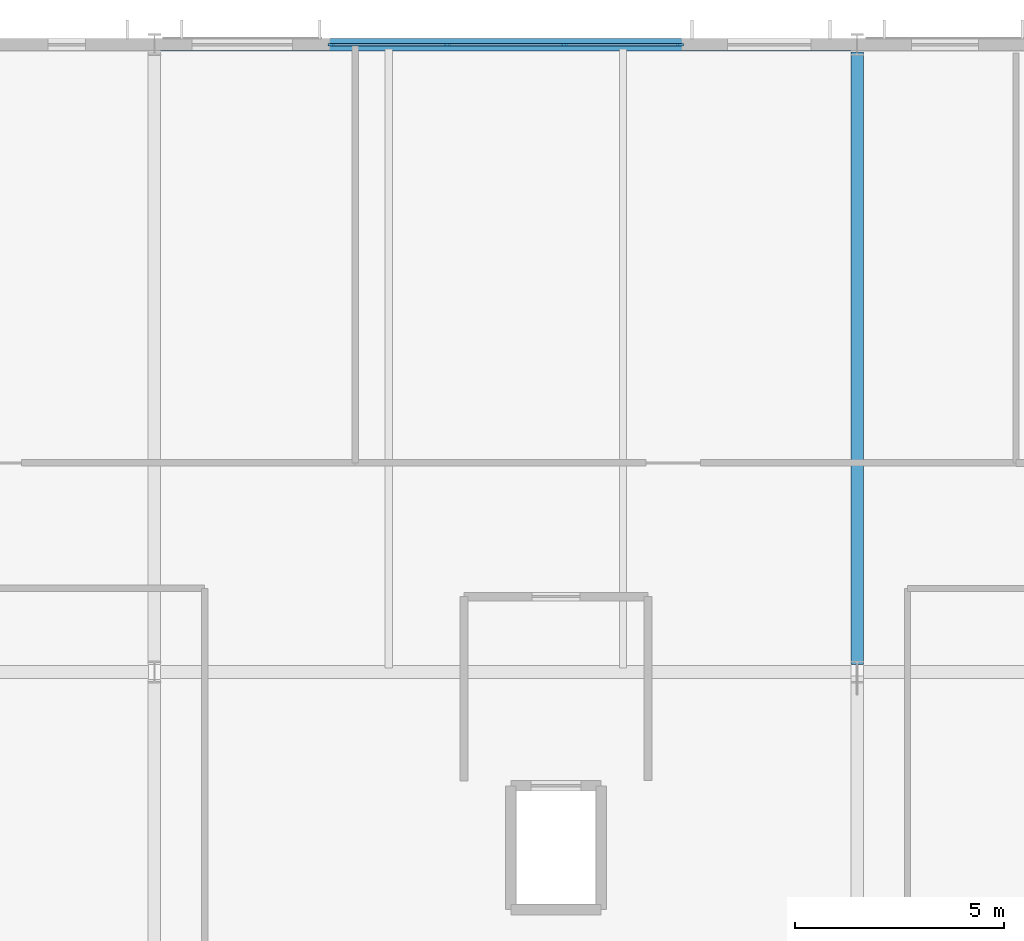
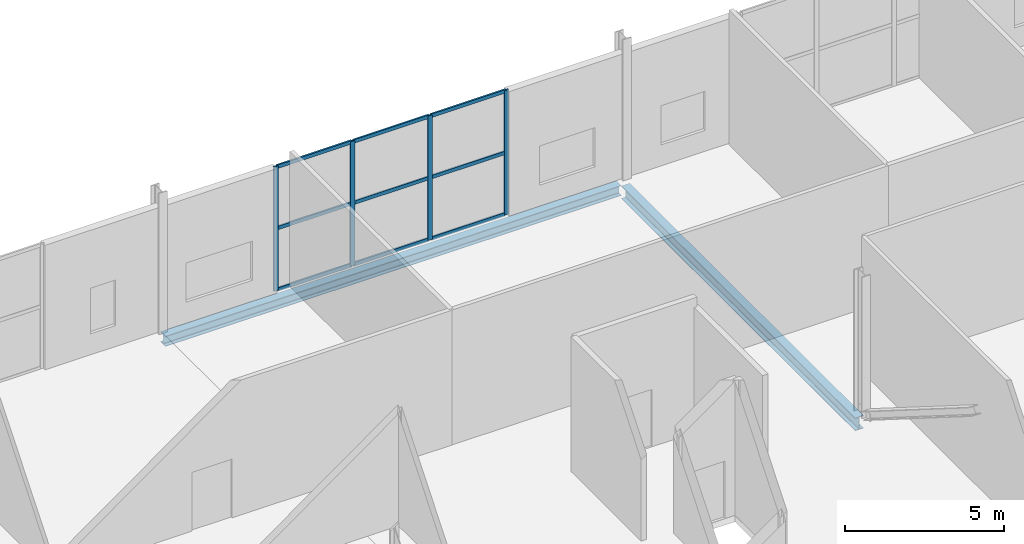
# One storey, part 36 of 84: 13 members, 2 beams, 1 element without a shape of its own.
"""IFC4 building model written with IfcOpenShell, lengths in metres."""

import ifcopenshell
import ifcopenshell.guid

model = None  # the IFC model being written
_history = None  # IfcOwnerHistory: only IFC2X3 demands one
_inside = {}  # id of a spatial element -> (the spatial element, [elements in it])
_under = {}  # id of a project, library or spatial element -> (it, [spatial elements below it])
_declared = {}  # id of a project -> (the project, [libraries it declares])
_typed = {}  # id of a type object -> (the type object, [elements of that type])
_made_of = {}  # id of a material, layer set ... -> (it, [elements and type objects made of it])


def new_model(schema):
    """Start an empty IFC model of exactly this schema.

    Asked for "IFC4X3", IfcOpenShell would pick the latest addendum, in which some entities
    have other attributes; the version numbers below select the first issue.
    IFC2X3 requires an IfcOwnerHistory on every rooted entity: one is made here for all.
    """
    global model, _history
    if schema == "IFC4X3":
        model = ifcopenshell.file(schema_version=(4, 3, 0, 0))
    else:
        model = ifcopenshell.file(schema=schema)
    _inside.clear()
    _under.clear()
    _declared.clear()
    _typed.clear()
    _made_of.clear()
    _history = None
    if model.schema == "IFC2X3":
        org = make("IfcOrganization", Name="unknown")
        user = make(
            "IfcPersonAndOrganization",
            ThePerson=make("IfcPerson", FamilyName="unknown"),
            TheOrganization=org,
        )
        app = make(
            "IfcApplication",
            ApplicationDeveloper=org,
            Version="unknown",
            ApplicationFullName="unknown",
            ApplicationIdentifier="unknown",
        )
        _history = make(
            "IfcOwnerHistory",
            OwningUser=user,
            OwningApplication=app,
            ChangeAction="ADDED",
            CreationDate=0,
        )
    return model


def make(cls, **values):
    """One entity of the class cls with the attributes given. An attribute that is None is left unset."""
    return model.create_entity(
        cls, **{name: value for name, value in values.items() if value is not None}
    )


def rooted(cls, **values):
    """An entity with a GlobalId (a new one), such as an element, a storey or a relation."""
    return make(cls, GlobalId=ifcopenshell.guid.new(), OwnerHistory=_history, **values)


def si_unit(unit_type, name, prefix=None):
    """IfcSIUnit, for example si_unit("LENGTHUNIT", "METRE", prefix="MILLI")."""
    return make("IfcSIUnit", UnitType=unit_type, Prefix=prefix, Name=name)


def assignment(units):
    """IfcUnitAssignment: the units of a project."""
    return None if units is None else make("IfcUnitAssignment", Units=units)


def point(xyz):
    """IfcCartesianPoint."""
    return None if xyz is None else make("IfcCartesianPoint", Coordinates=xyz)


def direction(xyz):
    """IfcDirection."""
    return None if xyz is None else make("IfcDirection", DirectionRatios=xyz)


def frame(location, z_axis=None, x_axis=None):
    """IfcAxis2Placement3D, a coordinate frame: its origin and axes. An axis left out is left unset."""
    return make(
        "IfcAxis2Placement3D",
        Location=point(location),
        Axis=direction(z_axis),
        RefDirection=direction(x_axis),
    )


def frame_2d(location, x_axis=None):
    """IfcAxis2Placement2D, a coordinate frame in the plane: its origin and x axis."""
    return make(
        "IfcAxis2Placement2D", Location=point(location), RefDirection=direction(x_axis)
    )


def origin():
    """The frame at (0, 0, 0) with its axes left unset."""
    return frame((0.0, 0.0, 0.0))


def origin_2d():
    """The frame at (0, 0) in the plane with its x axis left unset."""
    return frame_2d((0.0, 0.0))


def place(relative_to, where):
    """IfcLocalPlacement: puts the frame where relative to a parent placement (None: the world)."""
    return make(
        "IfcLocalPlacement", PlacementRelTo=relative_to, RelativePlacement=where
    )


def context(
    kind, dimensions, precision=None, world=None, true_north=None, identifier=None
):
    """IfcGeometricRepresentationContext, for example the 3D "Model" context."""
    return make(
        "IfcGeometricRepresentationContext",
        ContextIdentifier=identifier,
        ContextType=kind,
        CoordinateSpaceDimension=dimensions,
        Precision=precision,
        WorldCoordinateSystem=world,
        TrueNorth=true_north,
    )


def subcontext(parent, identifier, kind, view, scale=None):
    """IfcGeometricRepresentationSubContext, for example "Body" below "Model"."""
    return make(
        "IfcGeometricRepresentationSubContext",
        ContextIdentifier=identifier,
        ContextType=kind,
        ParentContext=parent,
        TargetScale=scale,
        TargetView=view,
    )


def project(units=None, contexts=None):
    """IfcProject with its units and contexts."""
    return rooted(
        "IfcProject",
        Name="project",
        RepresentationContexts=contexts,
        UnitsInContext=assignment(units),
    )


def spatial(cls, under=None, at=None, **own):
    """A site, building, storey or space (cls), placed at a placement, below another one or the project."""
    s = rooted(cls, ObjectPlacement=at, **own)
    if under is not None:
        _under.setdefault(under.id(), (under, []))[1].append(s)
    return s


def profile(cls, at=None, kind="AREA", **sizes):
    """A parametric profile (cls). Its sizes go by their IFC names, for example OverallWidth=200.0."""
    return make(cls, ProfileType=kind, Position=at, **sizes)


def rectangle(**sizes):
    """IfcRectangleProfileDef."""
    return profile("IfcRectangleProfileDef", **sizes)


def i_section(**sizes):
    """IfcIShapeProfileDef."""
    return profile("IfcIShapeProfileDef", **sizes)


def extrude(swept, where, along, depth):
    """IfcExtrudedAreaSolid: the profile swept, set in the frame where, extruded along a direction by depth."""
    return make(
        "IfcExtrudedAreaSolid",
        SweptArea=swept,
        Position=where,
        ExtrudedDirection=direction(along),
        Depth=depth,
    )


def shape(context_of_items, identifier, shape_type, items):
    """IfcShapeRepresentation: the items that make up one representation, for example the "Body"."""
    return make(
        "IfcShapeRepresentation",
        ContextOfItems=context_of_items,
        RepresentationIdentifier=identifier,
        RepresentationType=shape_type,
        Items=items,
    )


def material(Name=None, Category=None):
    """IfcMaterial."""
    return make("IfcMaterial", Name=Name, Category=Category)


def material_profile(
    of_material, cross_section, Name=None, Category=None, Priority=None
):
    """IfcMaterialProfile: a cross section and its material."""
    return make(
        "IfcMaterialProfile",
        Name=Name,
        Material=of_material,
        Profile=cross_section,
        Priority=Priority,
        Category=Category,
    )


def profile_set(profiles, Name=None, composite=None):
    """IfcMaterialProfileSet."""
    return make(
        "IfcMaterialProfileSet",
        Name=Name,
        MaterialProfiles=profiles,
        CompositeProfile=composite,
    )


def made_of(thing, what):
    """Note that an element or type object is made of a material, layer set ...; save() writes the relation."""
    if what is not None:
        _made_of.setdefault(what.id(), (what, []))[1].append(thing)
    return thing


def type_object(cls, material=None, **own):
    """A type object (cls), such as IfcWallType, which elements share."""
    return made_of(rooted(cls, **own), material)


def element(
    cls,
    number,
    at=None,
    inside=None,
    cuts=None,
    type_object=None,
    material=None,
    context=None,
    identifier="Body",
    shape_type=None,
    held_by="IfcProductDefinitionShape",
    body=None,
    shapes=None,
    **own,
):
    """One element of the class cls, such as IfcWall. Its Tag is "e" and its number.

    at: its placement. inside: the storey or other place that contains it. cuts: it is an
    opening in that element (IfcRelVoidsElement). A single representation is given by context,
    identifier, shape_type and body (its items); several are given by shapes. held_by: the class
    of the entity that holds the representations. save() writes the other relations.
    """
    e = rooted(cls, Tag="e%d" % number, ObjectPlacement=at, **own)
    if body is not None:
        shapes = [shape(context, identifier, shape_type, body)]
    if shapes is not None:
        e.Representation = make(held_by, Representations=shapes)
    if inside is not None:
        _inside.setdefault(inside.id(), (inside, []))[1].append(e)
    if cuts is not None:
        rooted(
            "IfcRelVoidsElement", RelatingBuildingElement=cuts, RelatedOpeningElement=e
        )
    if type_object is not None:
        _typed.setdefault(type_object.id(), (type_object, []))[1].append(e)
    return made_of(e, material)


def aggregate(whole, parts):
    """IfcRelAggregates: a whole, such as a stair, and the parts it consists of."""
    return rooted("IfcRelAggregates", RelatingObject=whole, RelatedObjects=parts)


def save(model, path):
    """Write the relations noted so far, then the file.

    IfcRelAggregates (storeys below a building ...), IfcRelContainedInSpatialStructure (elements
    in a storey), IfcRelDefinesByType, IfcRelAssociatesMaterial and IfcRelDeclares: one each for
    every whole, place, type object, material and project.
    """
    for whole, parts in _under.values():
        aggregate(whole, parts)
    for where, things in _inside.values():
        rooted(
            "IfcRelContainedInSpatialStructure",
            RelatedElements=things,
            RelatingStructure=where,
        )
    for kind, things in _typed.values():
        rooted("IfcRelDefinesByType", RelatedObjects=things, RelatingType=kind)
    for what, things in _made_of.values():
        rooted("IfcRelAssociatesMaterial", RelatedObjects=things, RelatingMaterial=what)
    for by, libraries in _declared.values():
        rooted("IfcRelDeclares", RelatingContext=by, RelatedDefinitions=libraries)
    model.write(path)


model = new_model("IFC4")

# Units and contexts
model_context = context("Model", 3, precision=1e-05, world=origin(), true_north=direction((0.0, 1.0)))
body_context = subcontext(model_context, "Body", "Model", "MODEL_VIEW")
ifc_project = project(units=[si_unit("LENGTHUNIT", "METRE"), si_unit("AREAUNIT", "SQUARE_METRE"), si_unit("VOLUMEUNIT", "CUBIC_METRE"), si_unit("PLANEANGLEUNIT", "RADIAN"), si_unit("MASSUNIT", "GRAM", prefix="KILO")], contexts=[model_context])

# Site, building, storey
site_placement = place(None, origin())
site = spatial("IfcSite", under=ifc_project, at=site_placement, CompositionType="ELEMENT")
building_placement = place(site_placement, origin())
building = spatial("IfcBuilding", under=site, at=building_placement, Name="Kimbaza Rail Terminus", CompositionType="ELEMENT")
storey_placement = place(building_placement, frame((0.0, 0.0, 5.39990234375)))
storey = spatial("IfcBuildingStorey", under=building, at=storey_placement, Name="L01", CompositionType="ELEMENT", Elevation=5.39990234375)

# Curtain wall, members
ifc_material_1 = material(Name="Anodised aluminium framing and solar low-E glazing", Category="aluminium")
curtain_wall_type = type_object("IfcCurtainWallType", Name="ARC-CW-OP1", PredefinedType="USERDEFINED", material=ifc_material_1)
curtain_wall_placement = place(storey_placement, origin())
curtain_wall = element("IfcCurtainWall", 1, at=curtain_wall_placement, inside=storey, type_object=curtain_wall_type, Name="Operations North Curtain Wall L01 Bay 5", ObjectType="UNITISED CURTAIN WALL", PredefinedType="USERDEFINED")
ifc_material_2 = material(Name="Anodised architectural aluminium", Category="aluminium")
ifc_material_profile_1 = material_profile(ifc_material_2, rectangle(XDim=0.06201171875, YDim=0.1650390625, at=origin_2d()), Name="MULLION 62x165")
ifc_profile_set_1 = profile_set([ifc_material_profile_1], Name="Anodised architectural aluminium")
member_type_1 = type_object("IfcMemberType", Name="ARC-CWM-05", PredefinedType="MULLION", material=ifc_profile_set_1)
member_1_placement = place(storey_placement, frame((126.631103515625, 133.0, 0.0), z_axis=(0.0, 0.0, 1.0), x_axis=(0.0, 1.0, 0.0)))
member_1 = element("IfcMember", 2, at=member_1_placement, type_object=member_type_1, Name="CW-05 mullion 1", PredefinedType="MULLION", context=body_context, shape_type="SweptSolid", body=[
    extrude(rectangle(XDim=0.06201171875, YDim=0.1650390625, at=origin_2d()), origin(), (0.0, 0.0, 1.0), 4.76513671875),
])
member_2_placement = place(storey_placement, frame((129.39990234375, 133.0, 0.0), z_axis=(0.0, 0.0, 1.0), x_axis=(0.0, 1.0, 0.0)))
member_2 = element("IfcMember", 3, at=member_2_placement, type_object=member_type_1, Name="CW-05 mullion 2", PredefinedType="MULLION", context=body_context, shape_type="SweptSolid", body=[
    extrude(rectangle(XDim=0.06201171875, YDim=0.1650390625, at=origin_2d()), origin(), (0.0, 0.0, 1.0), 4.76513671875),
])
member_3_placement = place(storey_placement, frame((132.199951171875, 133.0, 0.0), z_axis=(0.0, 0.0, 1.0), x_axis=(0.0, 1.0, 0.0)))
member_3 = element("IfcMember", 4, at=member_3_placement, type_object=member_type_1, Name="CW-05 mullion 3", PredefinedType="MULLION", context=body_context, shape_type="SweptSolid", body=[
    extrude(rectangle(XDim=0.06201171875, YDim=0.1650390625, at=origin_2d()), origin(), (0.0, 0.0, 1.0), 4.76513671875),
])
member_4_placement = place(storey_placement, frame((134.968994140625, 133.0, 0.0), z_axis=(0.0, 0.0, 1.0), x_axis=(0.0, 1.0, 0.0)))
member_4 = element("IfcMember", 5, at=member_4_placement, type_object=member_type_1, Name="CW-05 mullion 4", PredefinedType="MULLION", context=body_context, shape_type="SweptSolid", body=[
    extrude(rectangle(XDim=0.06201171875, YDim=0.1650390625, at=origin_2d()), origin(), (0.0, 0.0, 1.0), 4.76513671875),
])
ifc_material_3 = material(Name="Anodised architectural aluminium", Category="aluminium")
ifc_material_profile_2 = material_profile(ifc_material_3, rectangle(XDim=0.06201171875, YDim=0.135009765625, at=origin_2d()), Name="TRANSOM 62x135")
ifc_profile_set_2 = profile_set([ifc_material_profile_2], Name="Anodised architectural aluminium")
member_type_2 = type_object("IfcMemberType", Name="ARC-CWT-05", PredefinedType="USERDEFINED", material=ifc_profile_set_2)
member_5_placement = place(storey_placement, frame((126.662109375, 133.0, 0.031005859375), z_axis=(1.0, 0.0, 0.0), x_axis=(0.0, 1.0, 0.0)))
member_5 = element("IfcMember", 6, at=member_5_placement, type_object=member_type_2, Name="CW-05 transom 1.1", ObjectType="TRANSOM", PredefinedType="USERDEFINED", context=body_context, shape_type="SweptSolid", body=[
    extrude(rectangle(XDim=0.06201171875, YDim=0.135009765625, at=origin_2d()), origin(), (0.0, 0.0, 1.0), 2.706787109375),
])
member_6_placement = place(storey_placement, frame((126.662109375, 133.0, 2.382568359375), z_axis=(1.0, 0.0, 0.0), x_axis=(0.0, 1.0, 0.0)))
member_6 = element("IfcMember", 7, at=member_6_placement, type_object=member_type_2, Name="CW-05 transom 1.2", ObjectType="TRANSOM", PredefinedType="USERDEFINED", context=body_context, shape_type="SweptSolid", body=[
    extrude(rectangle(XDim=0.06201171875, YDim=0.135009765625, at=origin_2d()), origin(), (0.0, 0.0, 1.0), 2.706787109375),
])
member_7_placement = place(storey_placement, frame((126.662109375, 133.0, 4.734130859375), z_axis=(1.0, 0.0, 0.0), x_axis=(0.0, 1.0, 0.0)))
member_7 = element("IfcMember", 8, at=member_7_placement, type_object=member_type_2, Name="CW-05 transom 1.3", ObjectType="TRANSOM", PredefinedType="USERDEFINED", context=body_context, shape_type="SweptSolid", body=[
    extrude(rectangle(XDim=0.06201171875, YDim=0.135009765625, at=origin_2d()), origin(), (0.0, 0.0, 1.0), 2.706787109375),
])
member_8_placement = place(storey_placement, frame((129.430908203125, 133.0, 0.031005859375), z_axis=(1.0, 0.0, 0.0), x_axis=(0.0, 1.0, 0.0)))
member_8 = element("IfcMember", 9, at=member_8_placement, type_object=member_type_2, Name="CW-05 transom 2.1", ObjectType="TRANSOM", PredefinedType="USERDEFINED", context=body_context, shape_type="SweptSolid", body=[
    extrude(rectangle(XDim=0.06201171875, YDim=0.135009765625, at=origin_2d()), origin(), (0.0, 0.0, 1.0), 2.738037109375),
])
member_9_placement = place(storey_placement, frame((129.430908203125, 133.0, 2.382568359375), z_axis=(1.0, 0.0, 0.0), x_axis=(0.0, 1.0, 0.0)))
member_9 = element("IfcMember", 10, at=member_9_placement, type_object=member_type_2, Name="CW-05 transom 2.2", ObjectType="TRANSOM", PredefinedType="USERDEFINED", context=body_context, shape_type="SweptSolid", body=[
    extrude(rectangle(XDim=0.06201171875, YDim=0.135009765625, at=origin_2d()), origin(), (0.0, 0.0, 1.0), 2.738037109375),
])
member_10_placement = place(storey_placement, frame((129.430908203125, 133.0, 4.734130859375), z_axis=(1.0, 0.0, 0.0), x_axis=(0.0, 1.0, 0.0)))
member_10 = element("IfcMember", 11, at=member_10_placement, type_object=member_type_2, Name="CW-05 transom 2.3", ObjectType="TRANSOM", PredefinedType="USERDEFINED", context=body_context, shape_type="SweptSolid", body=[
    extrude(rectangle(XDim=0.06201171875, YDim=0.135009765625, at=origin_2d()), origin(), (0.0, 0.0, 1.0), 2.738037109375),
])
member_11_placement = place(storey_placement, frame((132.23095703125, 133.0, 0.031005859375), z_axis=(1.0, 0.0, 0.0), x_axis=(0.0, 1.0, 0.0)))
member_11 = element("IfcMember", 12, at=member_11_placement, type_object=member_type_2, Name="CW-05 transom 3.1", ObjectType="TRANSOM", PredefinedType="USERDEFINED", context=body_context, shape_type="SweptSolid", body=[
    extrude(rectangle(XDim=0.06201171875, YDim=0.135009765625, at=origin_2d()), origin(), (0.0, 0.0, 1.0), 2.70703125),
])
member_12_placement = place(storey_placement, frame((132.23095703125, 133.0, 2.382568359375), z_axis=(1.0, 0.0, 0.0), x_axis=(0.0, 1.0, 0.0)))
member_12 = element("IfcMember", 13, at=member_12_placement, type_object=member_type_2, Name="CW-05 transom 3.2", ObjectType="TRANSOM", PredefinedType="USERDEFINED", context=body_context, shape_type="SweptSolid", body=[
    extrude(rectangle(XDim=0.06201171875, YDim=0.135009765625, at=origin_2d()), origin(), (0.0, 0.0, 1.0), 2.70703125),
])
member_13_placement = place(storey_placement, frame((132.23095703125, 133.0, 4.734130859375), z_axis=(1.0, 0.0, 0.0), x_axis=(0.0, 1.0, 0.0)))
member_13 = element("IfcMember", 14, at=member_13_placement, type_object=member_type_2, Name="CW-05 transom 3.3", ObjectType="TRANSOM", PredefinedType="USERDEFINED", context=body_context, shape_type="SweptSolid", body=[
    extrude(rectangle(XDim=0.06201171875, YDim=0.135009765625, at=origin_2d()), origin(), (0.0, 0.0, 1.0), 2.70703125),
])
aggregate(curtain_wall, [member_1, member_2, member_3, member_4, member_5, member_6, member_7, member_8, member_9, member_10, member_11, member_12, member_13])

# Beams
ifc_material_4 = material(Name="Steel S355", Category="steel")
ifc_material_profile_3 = material_profile(ifc_material_4, i_section(OverallWidth=0.300048828125, OverallDepth=0.389892578125, WebThickness=0.010986328125, FlangeThickness=0.01904296875, FilletRadius=0.027099609375, at=origin_2d()), Name="HEA 400")
ifc_profile_set_3 = profile_set([ifc_material_profile_3], Name="Steel S355")
beam_type_1 = type_object("IfcBeamType", Name="STR-BM-HEA400", PredefinedType="SPANDREL", material=ifc_profile_set_3)
beam_1_placement = place(storey_placement, frame((122.5458984375, 133.0, -0.434814453125), z_axis=(1.0, 0.0, 0.0), x_axis=(0.0, 1.0, 0.0)))
element("IfcBeam", 15, at=beam_1_placement, inside=storey, type_object=beam_type_1, Name="Operations Girder L01 X4-Y2", PredefinedType="SPANDREL", context=body_context, shape_type="SweptSolid", body=[
    extrude(i_section(OverallWidth=0.300048828125, OverallDepth=0.389892578125, WebThickness=0.010986328125, FlangeThickness=0.01904296875, FilletRadius=0.027099609375, at=origin_2d()), origin(), (0.0, 0.0, 1.0), 16.508056640625),
])
ifc_material_5 = material(Name="Steel S355", Category="steel")
ifc_material_profile_4 = material_profile(ifc_material_5, i_section(OverallWidth=0.300048828125, OverallDepth=0.5, WebThickness=0.014404296875, FlangeThickness=0.028076171875, FilletRadius=0.027099609375, at=origin_2d()), Name="HEB 500")
ifc_profile_set_4 = profile_set([ifc_material_profile_4], Name="Steel S355")
beam_type_2 = type_object("IfcBeamType", Name="STR-BM-HEB500", PredefinedType="BEAM", material=ifc_profile_set_4)
beam_2_placement = place(storey_placement, frame((139.199951171875, 118.175048828125, -0.489990234375), z_axis=(0.0, 1.0, 0.0), x_axis=(-1.0, 0.0, 0.0)))
element("IfcBeam", 16, at=beam_2_placement, inside=storey, type_object=beam_type_2, Name="Operations Cross Girder L01 X5-Y1", PredefinedType="BEAM", context=body_context, shape_type="SweptSolid", body=[
    extrude(i_section(OverallWidth=0.300048828125, OverallDepth=0.5, WebThickness=0.014404296875, FlangeThickness=0.028076171875, FilletRadius=0.027099609375, at=origin_2d()), origin(), (0.0, 0.0, 1.0), 14.64990234375),
])

save(model, "model.ifc")
